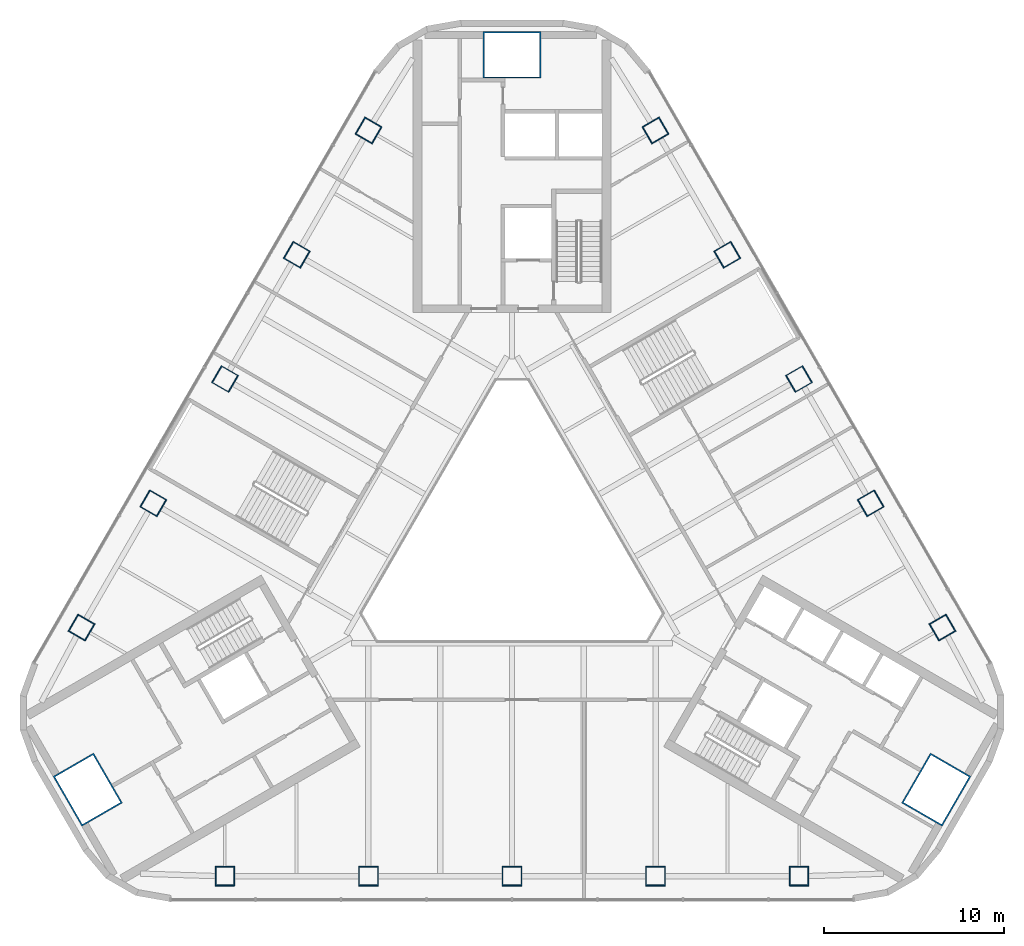
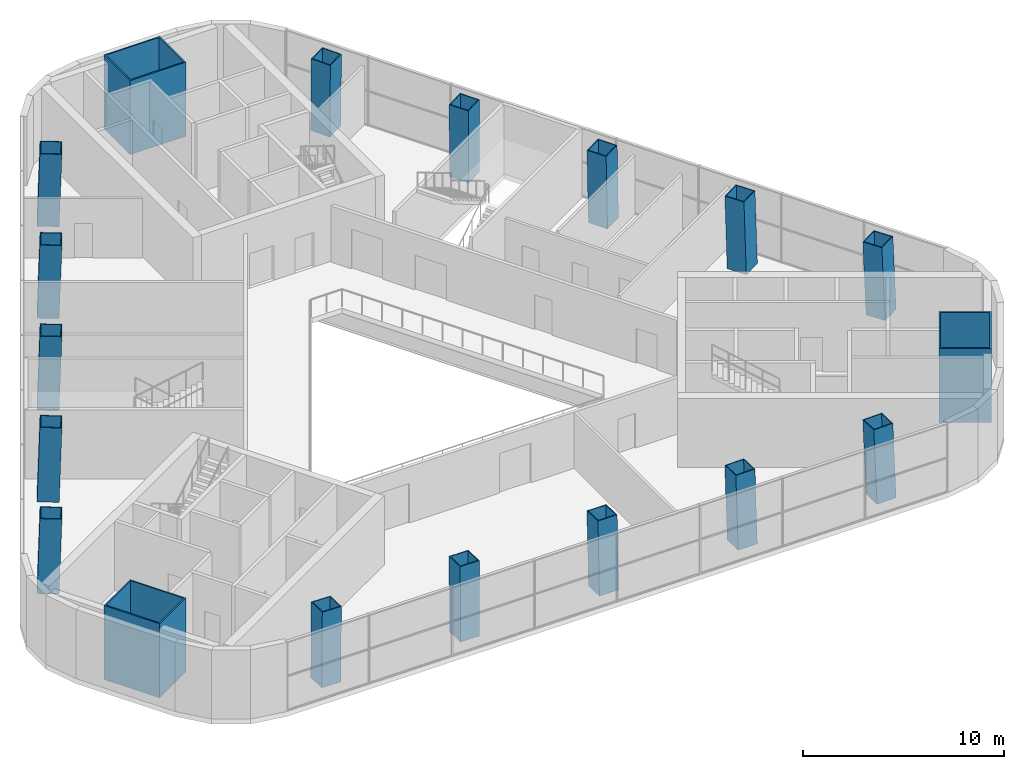
# One storey, part 1 of 12: 18 columns.
"""IFC4 building model written with IfcOpenShell, lengths in metres."""

from ifc_helpers import new_model, si_unit, direction, frame, origin, origin_2d, place, context, subcontext, project, spatial, rectangle, hollow_rectangle, extrude, boolean, halfspace, material, material_profile, profile_set, type_object, element, save


model = new_model("IFC4")

# Units and contexts
model_context = context("Model", 3, precision=1e-05, world=origin(), true_north=direction((0.0, 1.0)))
body_context = subcontext(model_context, "Body", "Model", "MODEL_VIEW")
ifc_project = project(units=[si_unit("LENGTHUNIT", "METRE"), si_unit("AREAUNIT", "SQUARE_METRE"), si_unit("VOLUMEUNIT", "CUBIC_METRE"), si_unit("PLANEANGLEUNIT", "RADIAN"), si_unit("MASSUNIT", "GRAM", prefix="KILO")], contexts=[model_context])

# Site, building, storey
site_placement = place(None, origin())
site = spatial("IfcSite", under=ifc_project, at=site_placement, CompositionType="ELEMENT")
building_placement = place(site_placement, origin())
building = spatial("IfcBuilding", under=site, at=building_placement, Name="Apuvela Tower Hotel", CompositionType="ELEMENT")
storey_placement = place(building_placement, frame((0.0, 0.0, 28.5)))
storey = spatial("IfcBuildingStorey", under=building, at=storey_placement, Name="L04", CompositionType="ELEMENT", Elevation=28.5)

# Columns
ifc_material_1 = material(Name="Steel S460", Category="steel")
ifc_material_profile_1 = material_profile(ifc_material_1, hollow_rectangle(XDim=3.199951171875, YDim=2.60009765625, WallThickness=0.080078125, at=origin_2d()), Name="BOX 3200x2600x80")
ifc_material_2 = material(Name="Concrete C80/95", Category="concrete")
ifc_material_profile_2 = material_profile(ifc_material_2, rectangle(XDim=3.0400390625, YDim=2.43994140625, at=origin_2d()), Name="Concrete C80/95 infill")
ifc_profile_set_1 = profile_set([ifc_material_profile_1, ifc_material_profile_2], Name="Steel S460")
column_type_1 = type_object("IfcColumnType", Name="STR-MC mega column BOX 3200x2600x80", PredefinedType="COLUMN", material=ifc_profile_set_1)
for number, where, z_axis, x_axis, name in (
    (1, (0.0, 27.199951171875, 0.0), (0.0, 0.0, 1.0), (1.0, 0.0, 0.0), "Mega column MC1 N"),
    (2, (-23.555908203125, -13.60009765625, 0.0), (0.0, 0.0, 1.0), (-0.5, 0.866025403784, 0.0), "Mega column MC1 SW"),
    (3, (23.555908203125, -13.60009765625, 0.0), (0.0, 0.0, 1.0), (0.5, 0.866025403784, 0.0), "Mega column MC1 SE"),
):
    element("IfcColumn", number, at=place(storey_placement, frame(where, z_axis=z_axis, x_axis=x_axis)), inside=storey, type_object=column_type_1, Name=name, PredefinedType="COLUMN", context=body_context, shape_type="SweptSolid", body=[
        extrude(hollow_rectangle(XDim=3.199951171875, YDim=2.60009765625, WallThickness=0.080078125, at=origin_2d()), origin(), (0.0, 0.0, 1.0), 4.5),
    ])
ifc_material_profile_3 = material_profile(ifc_material_1, hollow_rectangle(XDim=1.10009765625, YDim=1.10009765625, WallThickness=0.050048828125, at=origin_2d()), Name="BOX 1100x1100x50")
ifc_material_profile_4 = material_profile(ifc_material_2, rectangle(XDim=1.0, YDim=1.0, at=origin_2d()), Name="Concrete C80/95 infill")
ifc_profile_set_2 = profile_set([ifc_material_profile_3, ifc_material_profile_4], Name="Steel S460")
column_type_2 = type_object("IfcColumnType", Name="STR-PC perimeter column BOX 1100x1100x50", PredefinedType="COLUMN", material=ifc_profile_set_2)
column_1_placement = place(storey_placement, frame((-15.948486328125, -18.414306640625, 0.0), z_axis=(0.024720370768, 0.030683618102, 0.999223407877), x_axis=(-0.99969438665, 0.000567544207, 0.024714594742)))
element("IfcColumn", 4, at=column_1_placement, inside=storey, type_object=column_type_2, Name="Perimeter column C1 S1", PredefinedType="COLUMN", context=body_context, shape_type="SweptSolid", body=[
    boolean("DIFFERENCE", boolean("DIFFERENCE", extrude(hollow_rectangle(XDim=1.10009765625, YDim=1.10009765625, WallThickness=0.050048828125, at=origin_2d()), origin(), (0.0, 0.0, 1.0), 4.50341796875), halfspace(frame((0.0, 0.0, 0.0126953125), z_axis=(0.0, 0.0, 1.0), x_axis=(1.0, 0.0, 0.0)), True)), halfspace(frame((0.0, 0.0, 4.4912109375), z_axis=(0.0, 0.0, 1.0), x_axis=(1.0, 0.0, 0.0)), False)),
])
column_2_placement = place(storey_placement, frame((-7.97412109375, -18.414306640625, 0.0), z_axis=(0.012363018834, 0.030690652017, 0.999452469927), x_axis=(-0.999923507967, 1.3568651e-05, 0.012368428817)))
element("IfcColumn", 5, at=column_2_placement, inside=storey, type_object=column_type_2, Name="Perimeter column C1 S2", PredefinedType="COLUMN", context=body_context, shape_type="SweptSolid", body=[
    boolean("DIFFERENCE", boolean("DIFFERENCE", extrude(hollow_rectangle(XDim=1.10009765625, YDim=1.10009765625, WallThickness=0.050048828125, at=origin_2d()), origin(), (0.0, 0.0, 1.0), 4.50244140625), halfspace(frame((0.0, 0.0, 0.010986328125), z_axis=(0.0, 0.0, 1.0), x_axis=(1.0, 0.0, 0.0)), True)), halfspace(frame((0.0, 0.0, 4.491943359375), z_axis=(0.0, 0.0, 1.0), x_axis=(1.0, 0.0, 0.0)), False)),
])
column_3_placement = place(storey_placement, frame((0.0, -18.414306640625, 0.0), z_axis=(0.0, 0.030692997731, 0.999528858958), x_axis=(-1.0, 0.0, 0.0)))
element("IfcColumn", 6, at=column_3_placement, inside=storey, type_object=column_type_2, Name="Perimeter column C1 S3", PredefinedType="COLUMN", context=body_context, shape_type="SweptSolid", body=[
    boolean("DIFFERENCE", boolean("DIFFERENCE", extrude(hollow_rectangle(XDim=1.10009765625, YDim=1.10009765625, WallThickness=0.050048828125, at=origin_2d()), origin(), (0.0, 0.0, 1.0), 4.502197265625), halfspace(frame((0.0, 0.0, 0.010498046875), z_axis=(0.0, 0.0, 1.0), x_axis=(1.0, 0.0, 0.0)), True)), halfspace(frame((0.0, 0.0, 4.4921875), z_axis=(0.0, 0.0, 1.0), x_axis=(1.0, 0.0, 0.0)), False)),
])
column_4_placement = place(storey_placement, frame((7.97412109375, -18.414306640625, 0.0), z_axis=(-0.012363018834, 0.030690652017, 0.999452469927), x_axis=(0.999923507967, 1.3568651e-05, 0.012368428817)))
element("IfcColumn", 7, at=column_4_placement, inside=storey, type_object=column_type_2, Name="Perimeter column C1 S4", PredefinedType="COLUMN", context=body_context, shape_type="SweptSolid", body=[
    boolean("DIFFERENCE", boolean("DIFFERENCE", extrude(hollow_rectangle(XDim=1.10009765625, YDim=1.10009765625, WallThickness=0.050048828125, at=origin_2d()), origin(), (0.0, 0.0, 1.0), 4.50244140625), halfspace(frame((0.0, 0.0, 0.010986328125), z_axis=(0.0, 0.0, 1.0), x_axis=(1.0, 0.0, 0.0)), True)), halfspace(frame((0.0, 0.0, 4.491943359375), z_axis=(0.0, 0.0, 1.0), x_axis=(1.0, 0.0, 0.0)), False)),
])
for number, where, z_axis, x_axis, name in (
    (8, (15.948486328125, -18.414306640625, 0.0), (-0.024720370768, 0.030683618102, 0.999223407877), (0.99969438665, 0.000567544207, 0.024714594742), "Perimeter column C1 S5"),
    (9, (23.92138671875, -4.6044921875, 0.0), (-0.038923767258, 0.006017462626, 0.999224064205), (0.500000890421, -0.865672860901, 0.024690230408), "Perimeter column C1 NE1"),
):
    element("IfcColumn", number, at=place(storey_placement, frame(where, z_axis=z_axis, x_axis=x_axis)), inside=storey, type_object=column_type_2, Name=name, PredefinedType="COLUMN", context=body_context, shape_type="SweptSolid", body=[
        boolean("DIFFERENCE", boolean("DIFFERENCE", extrude(hollow_rectangle(XDim=1.10009765625, YDim=1.10009765625, WallThickness=0.050048828125, at=origin_2d()), origin(), (0.0, 0.0, 1.0), 4.50341796875), halfspace(frame((0.0, 0.0, 0.0126953125), z_axis=(0.0, 0.0, 1.0), x_axis=(1.0, 0.0, 0.0)), True)), halfspace(frame((0.0, 0.0, 4.4912109375), z_axis=(0.0, 0.0, 1.0), x_axis=(1.0, 0.0, 0.0)), False)),
    ])
column_5_placement = place(storey_placement, frame((19.934326171875, 2.30126953125, 0.0), z_axis=(-0.032751169552, -0.004609022205, 0.999452909249), x_axis=(0.499064961058, -0.866476451895, 0.012358112959)))
element("IfcColumn", 10, at=column_5_placement, inside=storey, type_object=column_type_2, Name="Perimeter column C1 NE2", PredefinedType="COLUMN", context=body_context, shape_type="SweptSolid", body=[
    boolean("DIFFERENCE", boolean("DIFFERENCE", extrude(hollow_rectangle(XDim=1.10009765625, YDim=1.10009765625, WallThickness=0.050048828125, at=origin_2d()), origin(), (0.0, 0.0, 1.0), 4.50244140625), halfspace(frame((0.0, 0.0, 0.010986328125), z_axis=(0.0, 0.0, 1.0), x_axis=(1.0, 0.0, 0.0)), True)), halfspace(frame((0.0, 0.0, 4.491943359375), z_axis=(0.0, 0.0, 1.0), x_axis=(1.0, 0.0, 0.0)), False)),
])
column_6_placement = place(storey_placement, frame((15.947265625, 9.207275390625, 0.0), z_axis=(-0.026625850327, -0.015400695505, 0.999526829391), x_axis=(-0.500507531384, 0.865732182021, 6.442154e-06)))
element("IfcColumn", 11, at=column_6_placement, inside=storey, type_object=column_type_2, Name="Perimeter column C1 NE3", PredefinedType="COLUMN", context=body_context, shape_type="SweptSolid", body=[
    boolean("DIFFERENCE", boolean("DIFFERENCE", extrude(hollow_rectangle(XDim=1.10009765625, YDim=1.10009765625, WallThickness=0.050048828125, at=origin_2d()), origin(), (0.0, 0.0, 1.0), 4.502197265625), halfspace(frame((0.0, 0.0, 0.010498046875), z_axis=(0.0, 0.0, 1.0), x_axis=(1.0, 0.0, 0.0)), True)), halfspace(frame((0.0, 0.0, 4.4921875), z_axis=(0.0, 0.0, 1.0), x_axis=(1.0, 0.0, 0.0)), False)),
])
column_7_placement = place(storey_placement, frame((11.960205078125, 16.113037109375, 0.0), z_axis=(-0.020388124423, -0.026081616616, 0.999451886614), x_axis=(-0.501064231638, 0.865321827993, 0.012360006954)))
element("IfcColumn", 12, at=column_7_placement, inside=storey, type_object=column_type_2, Name="Perimeter column C1 NE4", PredefinedType="COLUMN", context=body_context, shape_type="SweptSolid", body=[
    boolean("DIFFERENCE", boolean("DIFFERENCE", extrude(hollow_rectangle(XDim=1.10009765625, YDim=1.10009765625, WallThickness=0.050048828125, at=origin_2d()), origin(), (0.0, 0.0, 1.0), 4.50244140625), halfspace(frame((0.0, 0.0, 0.010986328125), z_axis=(0.0, 0.0, 1.0), x_axis=(1.0, 0.0, 0.0)), True)), halfspace(frame((0.0, 0.0, 4.491943359375), z_axis=(0.0, 0.0, 1.0), x_axis=(1.0, 0.0, 0.0)), False)),
])
for number, where, z_axis, x_axis, name in (
    (13, (7.97314453125, 23.018798828125, 0.0), (-0.014257598898, -0.036701119596, 0.999224573704), (-0.499479314293, 0.865974198785, 0.024679984425), "Perimeter column C1 NE5"),
    (14, (-7.97314453125, 23.018798828125, 0.0), (0.014257598898, -0.036701119596, 0.999224573704), (0.499479314293, 0.865974198785, 0.024679984425), "Perimeter column C1 NW1"),
):
    element("IfcColumn", number, at=place(storey_placement, frame(where, z_axis=z_axis, x_axis=x_axis)), inside=storey, type_object=column_type_2, Name=name, PredefinedType="COLUMN", context=body_context, shape_type="SweptSolid", body=[
        boolean("DIFFERENCE", boolean("DIFFERENCE", extrude(hollow_rectangle(XDim=1.10009765625, YDim=1.10009765625, WallThickness=0.050048828125, at=origin_2d()), origin(), (0.0, 0.0, 1.0), 4.50341796875), halfspace(frame((0.0, 0.0, 0.0126953125), z_axis=(0.0, 0.0, 1.0), x_axis=(1.0, 0.0, 0.0)), True)), halfspace(frame((0.0, 0.0, 4.4912109375), z_axis=(0.0, 0.0, 1.0), x_axis=(1.0, 0.0, 0.0)), False)),
    ])
column_8_placement = place(storey_placement, frame((-11.960205078125, 16.113037109375, 0.0), z_axis=(0.020388124423, -0.026081616616, 0.999451886614), x_axis=(0.501064231638, 0.865321827993, 0.012360006954)))
element("IfcColumn", 15, at=column_8_placement, inside=storey, type_object=column_type_2, Name="Perimeter column C1 NW2", PredefinedType="COLUMN", context=body_context, shape_type="SweptSolid", body=[
    boolean("DIFFERENCE", boolean("DIFFERENCE", extrude(hollow_rectangle(XDim=1.10009765625, YDim=1.10009765625, WallThickness=0.050048828125, at=origin_2d()), origin(), (0.0, 0.0, 1.0), 4.50244140625), halfspace(frame((0.0, 0.0, 0.010986328125), z_axis=(0.0, 0.0, 1.0), x_axis=(1.0, 0.0, 0.0)), True)), halfspace(frame((0.0, 0.0, 4.491943359375), z_axis=(0.0, 0.0, 1.0), x_axis=(1.0, 0.0, 0.0)), False)),
])
column_9_placement = place(storey_placement, frame((-15.947265625, 9.207275390625, 0.0), z_axis=(0.026625850327, -0.015400695505, 0.999526829391), x_axis=(0.500507531384, 0.865732182021, 6.442154e-06)))
element("IfcColumn", 16, at=column_9_placement, inside=storey, type_object=column_type_2, Name="Perimeter column C1 NW3", PredefinedType="COLUMN", context=body_context, shape_type="SweptSolid", body=[
    boolean("DIFFERENCE", boolean("DIFFERENCE", extrude(hollow_rectangle(XDim=1.10009765625, YDim=1.10009765625, WallThickness=0.050048828125, at=origin_2d()), origin(), (0.0, 0.0, 1.0), 4.502197265625), halfspace(frame((0.0, 0.0, 0.010498046875), z_axis=(0.0, 0.0, 1.0), x_axis=(1.0, 0.0, 0.0)), True)), halfspace(frame((0.0, 0.0, 4.4921875), z_axis=(0.0, 0.0, 1.0), x_axis=(1.0, 0.0, 0.0)), False)),
])
column_10_placement = place(storey_placement, frame((-19.934326171875, 2.30126953125, 0.0), z_axis=(0.032751169552, -0.004609022205, 0.999452909249), x_axis=(-0.499064961058, -0.866476451895, 0.012358112959)))
element("IfcColumn", 17, at=column_10_placement, inside=storey, type_object=column_type_2, Name="Perimeter column C1 NW4", PredefinedType="COLUMN", context=body_context, shape_type="SweptSolid", body=[
    boolean("DIFFERENCE", boolean("DIFFERENCE", extrude(hollow_rectangle(XDim=1.10009765625, YDim=1.10009765625, WallThickness=0.050048828125, at=origin_2d()), origin(), (0.0, 0.0, 1.0), 4.50244140625), halfspace(frame((0.0, 0.0, 0.010986328125), z_axis=(0.0, 0.0, 1.0), x_axis=(1.0, 0.0, 0.0)), True)), halfspace(frame((0.0, 0.0, 4.491943359375), z_axis=(0.0, 0.0, 1.0), x_axis=(1.0, 0.0, 0.0)), False)),
])
column_11_placement = place(storey_placement, frame((-23.92138671875, -4.6044921875, 0.0), z_axis=(0.038923767258, 0.006017462626, 0.999224064205), x_axis=(-0.500000890421, -0.865672860901, 0.024690230408)))
element("IfcColumn", 18, at=column_11_placement, inside=storey, type_object=column_type_2, Name="Perimeter column C1 NW5", PredefinedType="COLUMN", context=body_context, shape_type="SweptSolid", body=[
    boolean("DIFFERENCE", boolean("DIFFERENCE", extrude(hollow_rectangle(XDim=1.10009765625, YDim=1.10009765625, WallThickness=0.050048828125, at=origin_2d()), origin(), (0.0, 0.0, 1.0), 4.50341796875), halfspace(frame((0.0, 0.0, 0.0126953125), z_axis=(0.0, 0.0, 1.0), x_axis=(1.0, 0.0, 0.0)), True)), halfspace(frame((0.0, 0.0, 4.4912109375), z_axis=(0.0, 0.0, 1.0), x_axis=(1.0, 0.0, 0.0)), False)),
])

save(model, "model.ifc")
